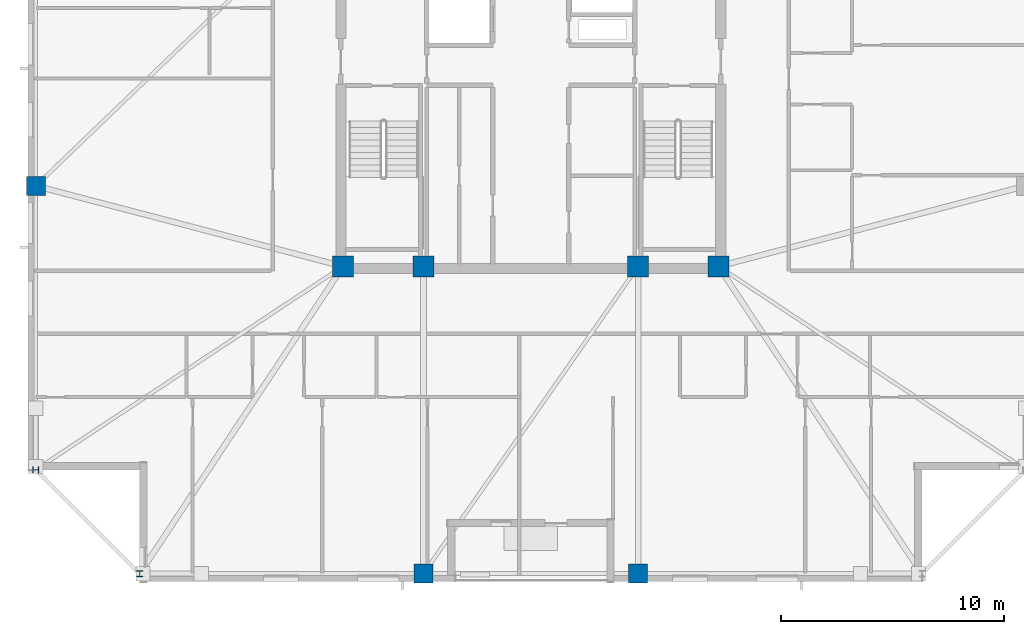
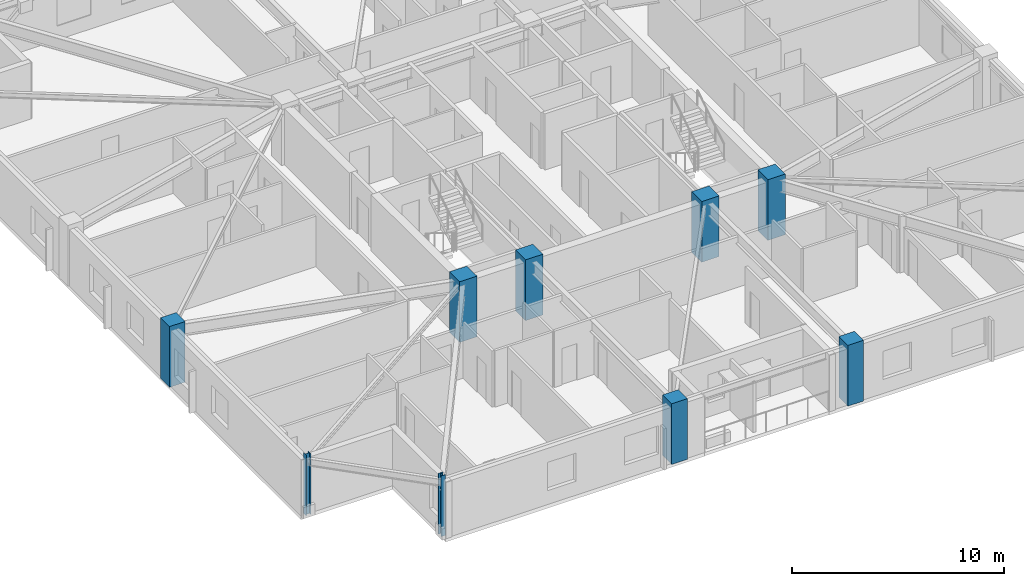
# One storey, part 1 of 17: 9 columns.
"""IFC4 building model written with IfcOpenShell, lengths in metres."""

from ifc_helpers import new_model, si_unit, direction, frame, origin, origin_2d, place, context, subcontext, project, spatial, rectangle, i_section, extrude, material, material_profile, profile_set, type_object, element, save


model = new_model("IFC4")

# Units and contexts
model_context = context("Model", 3, precision=1e-05, world=origin(), true_north=direction((0.0, 1.0)))
body_context = subcontext(model_context, "Body", "Model", "MODEL_VIEW")
ifc_project = project(units=[si_unit("LENGTHUNIT", "METRE"), si_unit("AREAUNIT", "SQUARE_METRE"), si_unit("VOLUMEUNIT", "CUBIC_METRE"), si_unit("PLANEANGLEUNIT", "RADIAN"), si_unit("MASSUNIT", "GRAM", prefix="KILO")], contexts=[model_context])

# Site, building, storey
site_placement = place(None, origin())
site = spatial("IfcSite", under=ifc_project, at=site_placement, CompositionType="ELEMENT")
building_placement = place(site_placement, origin())
building = spatial("IfcBuilding", under=site, at=building_placement, Name="Cairnveth Concourse Tower", CompositionType="ELEMENT")
storey_placement = place(building_placement, frame((0.0, 0.0, 272.5)))
storey = spatial("IfcBuildingStorey", under=building, at=storey_placement, Name="L75", CompositionType="ELEMENT", Elevation=272.5)

# Columns
ifc_material_1 = material(Name="Concrete N65 (65 MPa)", Category="concrete")
ifc_material_profile_1 = material_profile(ifc_material_1, rectangle(XDim=0.949951171875, YDim=0.949951171875, at=origin_2d()), Name="RC-COL-950x950")
ifc_profile_set_1 = profile_set([ifc_material_profile_1], Name="Concrete N65 (65 MPa)")
column_type_1 = type_object("IfcColumnType", Name="CORE COLUMN 950X950", PredefinedType="COLUMN", material=ifc_profile_set_1)
for number, where, z_axis, x_axis, name in (
    (1, (43.60009765625, 30.60009765625, 0.0), (0.0, 0.0, 1.0), (1.0, 0.0, 0.0), "Column CC1 L75"),
    (2, (47.199951171875, 30.60009765625, 0.0), (0.0, 0.0, 1.0), (1.0, 0.0, 0.0), "Column CC2 L75"),
    (3, (56.800048828125, 30.60009765625, 0.0), (0.0, 0.0, 1.0), (1.0, 0.0, 0.0), "Column CC3 L75"),
    (4, (60.39990234375, 30.60009765625, 0.0), (0.0, 0.0, 1.0), (1.0, 0.0, 0.0), "Column CC4 L75"),
):
    element("IfcColumn", number, at=place(storey_placement, frame(where, z_axis=z_axis, x_axis=x_axis)), inside=storey, type_object=column_type_1, Name=name, PredefinedType="COLUMN", context=body_context, shape_type="SweptSolid", body=[
        extrude(rectangle(XDim=0.949951171875, YDim=0.949951171875, at=origin_2d()), origin(), (0.0, 0.0, 1.0), 3.5),
    ])
ifc_material_profile_2 = material_profile(ifc_material_1, rectangle(XDim=0.85009765625, YDim=0.85009765625, at=origin_2d()), Name="RC-COL-850x850")
ifc_profile_set_2 = profile_set([ifc_material_profile_2], Name="Concrete N65 (65 MPa)")
column_type_2 = type_object("IfcColumnType", Name="PERIMETER PIER COLUMN 850X850", PredefinedType="COLUMN", material=ifc_profile_set_2)
for number, where, z_axis, x_axis, name in (
    (5, (47.199951171875, 16.85009765625, 0.0), (0.0, 0.0, 1.0), (1.0, 0.0, 0.0), "Column P-S2 L75"),
    (6, (56.800048828125, 16.85009765625, 0.0), (0.0, 0.0, 1.0), (1.0, 0.0, 0.0), "Column P-S3 L75"),
    (7, (29.85009765625, 34.199951171875, 0.0), (0.0, 0.0, 1.0), (0.0, 1.0, 0.0), "Column P-W3 L75"),
):
    element("IfcColumn", number, at=place(storey_placement, frame(where, z_axis=z_axis, x_axis=x_axis)), inside=storey, type_object=column_type_2, Name=name, PredefinedType="COLUMN", context=body_context, shape_type="SweptSolid", body=[
        extrude(rectangle(XDim=0.85009765625, YDim=0.85009765625, at=origin_2d()), origin(), (0.0, 0.0, 1.0), 3.5),
    ])
ifc_material_2 = material(Name="Steel Grade 350", Category="steel")
ifc_material_profile_3 = material_profile(ifc_material_2, i_section(OverallWidth=0.256103515625, OverallDepth=0.260009765625, WebThickness=0.010498046875, FlangeThickness=0.017333984375, FilletRadius=0.012939453125, at=origin_2d()), Name="250UC89.5")
ifc_profile_set_3 = profile_set([ifc_material_profile_3], Name="Steel Grade 350")
column_type_3 = type_object("IfcColumnType", Name="UNIVERSAL STEEL COLUMN 250UC89.5", PredefinedType="COLUMN", material=ifc_profile_set_3)
for number, where, z_axis, x_axis, name in (
    (8, (34.5, 16.85009765625, 0.0), (0.0, 0.0, 1.0), (1.0, 0.0, 0.0), "Column P-S1 L75"),
    (9, (29.85009765625, 21.5, 0.0), (0.0, 0.0, 1.0), (0.0, 1.0, 0.0), "Column P-W4 L75"),
):
    element("IfcColumn", number, at=place(storey_placement, frame(where, z_axis=z_axis, x_axis=x_axis)), inside=storey, type_object=column_type_3, Name=name, PredefinedType="COLUMN", context=body_context, shape_type="SweptSolid", body=[
        extrude(i_section(OverallWidth=0.256103515625, OverallDepth=0.260009765625, WebThickness=0.010498046875, FlangeThickness=0.017333984375, FilletRadius=0.012939453125, at=origin_2d()), origin(), (0.0, 0.0, 1.0), 3.5),
    ])

save(model, "model.ifc")
